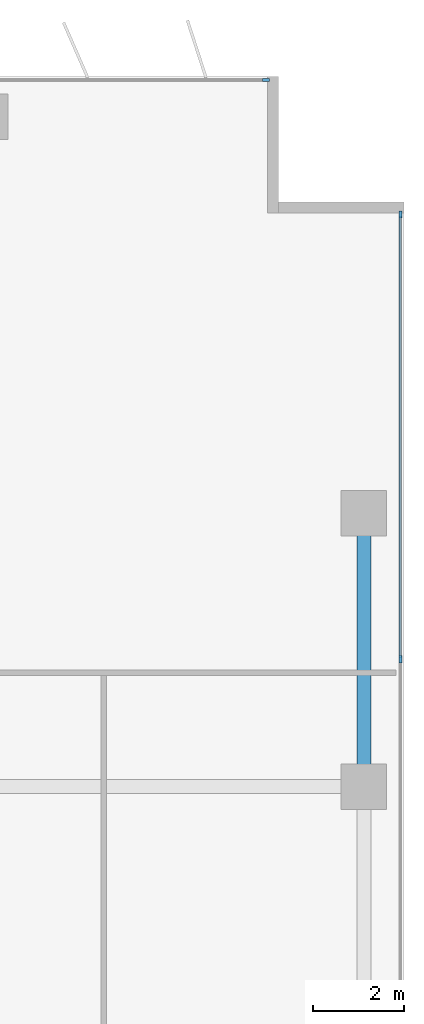
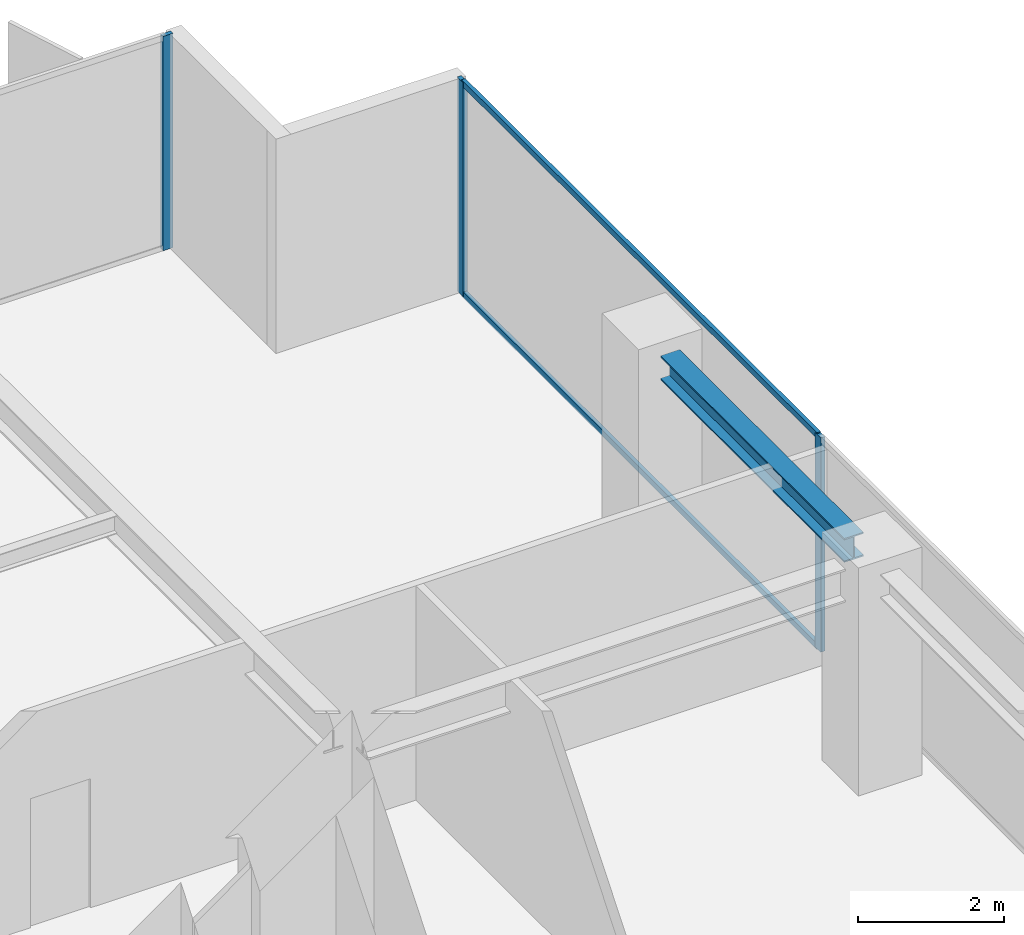
# One storey, part 13 of 22: 5 members, 1 beam, 2 elements without a shape of their own.
"""IFC4 building model written with IfcOpenShell, lengths in metres."""

from ifc_helpers import new_model, si_unit, direction, frame, origin, origin_2d, place, context, subcontext, project, spatial, rectangle, i_section, extrude, material, layer, layer_set, material_profile, profile_set, type_object, element, aggregate, save


model = new_model("IFC4")

# Units and contexts
model_context = context("Model", 3, precision=1e-05, world=origin(), true_north=direction((0.0, 1.0)))
body_context = subcontext(model_context, "Body", "Model", "MODEL_VIEW")
ifc_project = project(units=[si_unit("LENGTHUNIT", "METRE"), si_unit("AREAUNIT", "SQUARE_METRE"), si_unit("VOLUMEUNIT", "CUBIC_METRE"), si_unit("PLANEANGLEUNIT", "RADIAN"), si_unit("MASSUNIT", "GRAM", prefix="KILO")], contexts=[model_context])

# Site, building, storey
site_placement = place(None, origin())
site = spatial("IfcSite", under=ifc_project, at=site_placement, CompositionType="ELEMENT")
building_placement = place(site_placement, origin())
building = spatial("IfcBuilding", under=site, at=building_placement, Name="Putna Gate Headquarters", CompositionType="ELEMENT")
storey_placement = place(building_placement, frame((0.0, 0.0, 148.0)))
storey = spatial("IfcBuildingStorey", under=building, at=storey_placement, Name="L36", CompositionType="ELEMENT", Elevation=148.0)

# Beam
ifc_material_1 = material(Name="Steel S355J2", Category="steel")
ifc_material_profile_1 = material_profile(ifc_material_1, i_section(OverallWidth=0.300048828125, OverallDepth=0.39990234375, WebThickness=0.013427734375, FlangeThickness=0.02392578125, at=origin_2d()), Name="Steel S355J2")
ifc_profile_set_1 = profile_set([ifc_material_profile_1], Name="Steel S355J2")
beam_type = type_object("IfcBeamType", Name="BM-SPAN-Z3-HEB400", PredefinedType="SPANDREL", material=ifc_profile_set_1)
beam_placement = place(storey_placement, frame((73.320068359375, 33.488037109375, 3.3720703125), z_axis=(0.0, 1.0, 0.0), x_axis=(-1.0, 0.0, 0.0)))
element("IfcBeam", 1, at=beam_placement, inside=storey, type_object=beam_type, Name="L36 E End Spandrel 3", PredefinedType="SPANDREL", context=body_context, shape_type="SweptSolid", body=[
    extrude(i_section(OverallWidth=0.300048828125, OverallDepth=0.39990234375, WebThickness=0.013427734375, FlangeThickness=0.02392578125, at=origin_2d()), origin(), (0.0, 0.0, 1.0), 5.02392578125),
])

# Curtain wall, member
ifc_material_2 = material(Name="Anodised bronze aluminium curtain wall", Category="aluminium")
ifc_layer = layer(ifc_material_2, 0.159912109375)
ifc_layer_set = layer_set([ifc_layer], Name="Anodised bronze aluminium curtain wall")
curtain_wall_type = type_object("IfcCurtainWallType", Name="CW-SYS-Z3", PredefinedType="USERDEFINED", material=ifc_layer_set)
curtain_wall_1_placement = place(storey_placement, origin())
curtain_wall_1 = element("IfcCurtainWall", 2, at=curtain_wall_1_placement, inside=storey, type_object=curtain_wall_type, Name="L36 North East Curtain Wall", ObjectType="STICK CURTAIN WALL", PredefinedType="USERDEFINED")
ifc_material_3 = material(Name="Anodised bronze aluminium EN AW-6060", Category="aluminium")
ifc_material_profile_2 = material_profile(ifc_material_3, rectangle(XDim=0.06494140625, YDim=0.159912109375, at=origin_2d()), Name="Anodised bronze aluminium EN AW-6060")
ifc_profile_set_2 = profile_set([ifc_material_profile_2], Name="Anodised bronze aluminium EN AW-6060")
member_type_1 = type_object("IfcMemberType", Name="MULL-CWM-3", PredefinedType="MULLION", material=ifc_profile_set_2)
member_1_placement = place(storey_placement, frame((71.16748046875, 48.52001953125, 0.0), z_axis=(0.0, 0.0, 1.0), x_axis=(0.0, 1.0, 0.0)))
member_1 = element("IfcMember", 3, at=member_1_placement, type_object=member_type_1, Name="CWS-3 mullion 3", PredefinedType="MULLION", context=body_context, shape_type="SweptSolid", body=[
    extrude(rectangle(XDim=0.06494140625, YDim=0.159912109375, at=origin_2d()), origin(), (0.0, 0.0, 1.0), 3.572021484375),
])
aggregate(curtain_wall_1, [member_1])

# Curtain wall, members
curtain_wall_2_placement = place(storey_placement, origin())
curtain_wall_2 = element("IfcCurtainWall", 4, at=curtain_wall_2_placement, inside=storey, type_object=curtain_wall_type, Name="L36 East Curtain Wall", ObjectType="STICK CURTAIN WALL", PredefinedType="USERDEFINED")
member_2_placement = place(storey_placement, frame((74.1201171875, 35.800048828125, 0.0), z_axis=(0.0, 0.0, 1.0), x_axis=(-1.0, 0.0, 0.0)))
member_2 = element("IfcMember", 5, at=member_2_placement, type_object=member_type_1, Name="CWS-3 mullion 4", PredefinedType="MULLION", context=body_context, shape_type="SweptSolid", body=[
    extrude(rectangle(XDim=0.06494140625, YDim=0.159912109375, at=origin_2d()), origin(), (0.0, 0.0, 1.0), 3.572021484375),
])
member_3_placement = place(storey_placement, frame((74.1201171875, 45.5673828125, 0.0), z_axis=(0.0, 0.0, 1.0), x_axis=(-1.0, 0.0, 0.0)))
member_3 = element("IfcMember", 6, at=member_3_placement, type_object=member_type_1, Name="CWS-3 mullion 5", PredefinedType="MULLION", context=body_context, shape_type="SweptSolid", body=[
    extrude(rectangle(XDim=0.06494140625, YDim=0.159912109375, at=origin_2d()), origin(), (0.0, 0.0, 1.0), 3.572021484375),
])
ifc_material_profile_3 = material_profile(ifc_material_3, rectangle(XDim=0.06005859375, YDim=0.10009765625, at=origin_2d()), Name="Anodised bronze aluminium EN AW-6060")
ifc_profile_set_3 = profile_set([ifc_material_profile_3], Name="Anodised bronze aluminium EN AW-6060")
member_type_2 = type_object("IfcMemberType", Name="TRAN-CWT-3", PredefinedType="USERDEFINED", material=ifc_profile_set_3)
member_4_placement = place(storey_placement, frame((74.1201171875, 35.83251953125, 0.030029296875), z_axis=(0.0, 1.0, 0.0), x_axis=(-1.0, 0.0, 0.0)))
member_4 = element("IfcMember", 7, at=member_4_placement, type_object=member_type_2, Name="CWS-3 transom 4.1", ObjectType="TRANSOM", PredefinedType="USERDEFINED", context=body_context, shape_type="SweptSolid", body=[
    extrude(rectangle(XDim=0.06005859375, YDim=0.10009765625, at=origin_2d()), origin(), (0.0, 0.0, 1.0), 9.702392578125),
])
member_5_placement = place(storey_placement, frame((74.1201171875, 35.83251953125, 3.5419921875), z_axis=(0.0, 1.0, 0.0), x_axis=(-1.0, 0.0, 0.0)))
member_5 = element("IfcMember", 8, at=member_5_placement, type_object=member_type_2, Name="CWS-3 transom 4.2", ObjectType="TRANSOM", PredefinedType="USERDEFINED", context=body_context, shape_type="SweptSolid", body=[
    extrude(rectangle(XDim=0.06005859375, YDim=0.10009765625, at=origin_2d()), origin(), (0.0, 0.0, 1.0), 9.702392578125),
])
aggregate(curtain_wall_2, [member_2, member_3, member_4, member_5])

save(model, "model.ifc")
